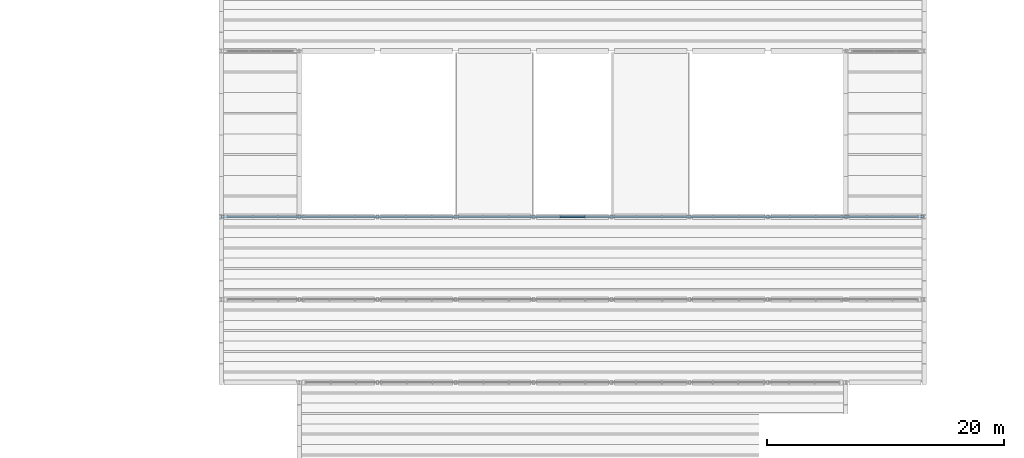
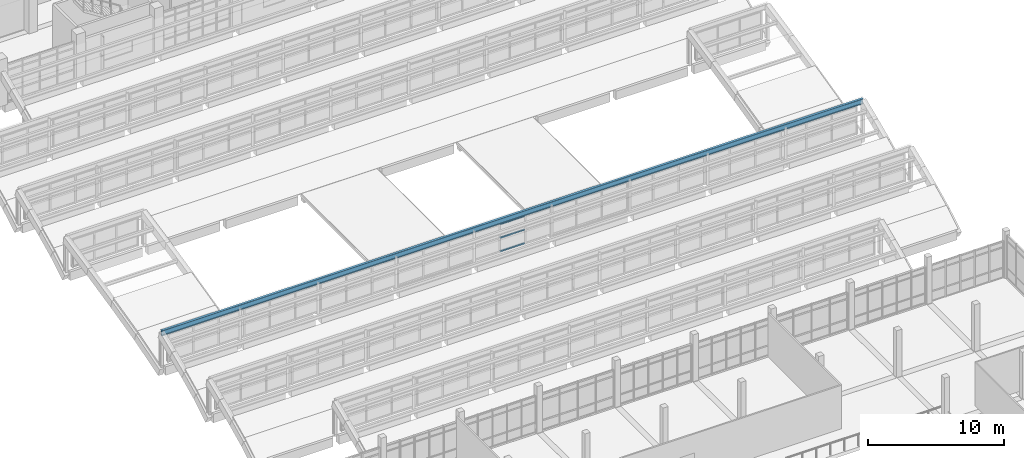
# One storey, part 32 of 92: 4 members, 1 element without a shape of its own.
"""IFC4 building model written with IfcOpenShell, lengths in metres."""

from ifc_helpers import new_model, si_unit, direction, frame, origin, origin_2d, place, context, subcontext, project, spatial, rectangle, i_section, extrude, material, material_profile, profile_set, type_object, element, aggregate, save


model = new_model("IFC4")

# Units and contexts
model_context = context("Model", 3, precision=1e-05, world=origin(), true_north=direction((0.0, 1.0)))
body_context = subcontext(model_context, "Body", "Model", "MODEL_VIEW")
ifc_project = project(units=[si_unit("LENGTHUNIT", "METRE"), si_unit("AREAUNIT", "SQUARE_METRE"), si_unit("VOLUMEUNIT", "CUBIC_METRE"), si_unit("PLANEANGLEUNIT", "RADIAN"), si_unit("MASSUNIT", "GRAM", prefix="KILO")], contexts=[model_context])

# Site, building, storey
site_placement = place(None, origin())
site = spatial("IfcSite", under=ifc_project, at=site_placement, CompositionType="ELEMENT")
building_placement = place(site_placement, origin())
building = spatial("IfcBuilding", under=site, at=building_placement, Name="Ciguamira Faculty of Natural Sciences", CompositionType="ELEMENT")
storey_placement = place(building_placement, frame((0.0, 0.0, 16.800048828125)))
storey = spatial("IfcBuildingStorey", under=building, at=storey_placement, Name="L04", CompositionType="ELEMENT", Elevation=16.800048828125)

# Curtain wall, members
ifc_material_1 = material(Name="Anodized aluminium curtain wall", Category="aluminium")
curtain_wall_type = type_object("IfcCurtainWallType", Name="CurtainWall_CW-04", PredefinedType="USERDEFINED", material=ifc_material_1)
curtain_wall_placement = place(storey_placement, origin())
curtain_wall = element("IfcCurtainWall", 1, at=curtain_wall_placement, inside=storey, type_object=curtain_wall_type, Name="V4 north-light wave 3 clerestory glazing 1", ObjectType="UNITISED CURTAIN WALL", PredefinedType="USERDEFINED")
ifc_material_2 = material(Name="Anodized aluminium transom", Category="aluminium")
ifc_material_profile_1 = material_profile(ifc_material_2, rectangle(XDim=0.070068359375, YDim=0.139892578125, at=origin_2d()), Name="ALU-TRN-70X140")
ifc_profile_set_1 = profile_set([ifc_material_profile_1], Name="Anodized aluminium transom")
member_type_1 = type_object("IfcMemberType", Name="CWTransom_CWT-02", PredefinedType="USERDEFINED", material=ifc_profile_set_1)
member_1_placement = place(storey_placement, frame((85.95361328125, 59.0, 0.284912109375), z_axis=(1.0, 0.0, 0.0), x_axis=(0.0, 0.0, 1.0)))
member_1 = element("IfcMember", 2, at=member_1_placement, type_object=member_type_1, Name="CW-04 transom 14.1", ObjectType="TRANSOM", PredefinedType="USERDEFINED", context=body_context, shape_type="SweptSolid", body=[
    extrude(rectangle(XDim=0.070068359375, YDim=0.139892578125, at=origin_2d()), origin(), (0.0, 0.0, 1.0), 2.0927734375),
])
member_2_placement = place(storey_placement, frame((85.95361328125, 59.0, 1.5), z_axis=(1.0, 0.0, 0.0), x_axis=(0.0, 0.0, 1.0)))
member_2 = element("IfcMember", 3, at=member_2_placement, type_object=member_type_1, Name="CW-04 transom 14.2", ObjectType="TRANSOM", PredefinedType="USERDEFINED", context=body_context, shape_type="SweptSolid", body=[
    extrude(rectangle(XDim=0.070068359375, YDim=0.139892578125, at=origin_2d()), origin(), (0.0, 0.0, 1.0), 2.0927734375),
])
member_3_placement = place(storey_placement, frame((85.95361328125, 59.0, 2.71484375), z_axis=(1.0, 0.0, 0.0), x_axis=(0.0, 0.0, 1.0)))
member_3 = element("IfcMember", 4, at=member_3_placement, type_object=member_type_1, Name="CW-04 transom 14.3", ObjectType="TRANSOM", PredefinedType="USERDEFINED", context=body_context, shape_type="SweptSolid", body=[
    extrude(rectangle(XDim=0.070068359375, YDim=0.139892578125, at=origin_2d()), origin(), (0.0, 0.0, 1.0), 2.0927734375),
])
aggregate(curtain_wall, [member_1, member_2, member_3])

# Member
ifc_material_3 = material(Name="Steel ASTM A992 Grade 50", Category="steel")
ifc_material_profile_2 = material_profile(ifc_material_3, i_section(OverallWidth=0.19287109375, OverallDepth=0.46728515625, WebThickness=0.011474609375, FlangeThickness=0.01904296875, at=origin_2d()), Name="W18X65")
ifc_profile_set_2 = profile_set([ifc_material_profile_2], Name="Steel ASTM A992 Grade 50")
member_type_2 = type_object("IfcMemberType", Name="SteelMember_TC-01_W18X65", PredefinedType="CHORD", material=ifc_profile_set_2)
member_4_placement = place(storey_placement, frame((57.300048828125, 59.0, 2.986328125), z_axis=(1.0, 0.0, 0.0), x_axis=(0.0, 1.0, 0.0)))
element("IfcMember", 5, at=member_4_placement, inside=storey, type_object=member_type_2, Name="V4 north-light wave 3 crest chord 1", PredefinedType="CHORD", context=body_context, shape_type="SweptSolid", body=[
    extrude(i_section(OverallWidth=0.19287109375, OverallDepth=0.46728515625, WebThickness=0.011474609375, FlangeThickness=0.01904296875, at=origin_2d()), origin(), (0.0, 0.0, 1.0), 59.39990234375),
])

save(model, "model.ifc")
